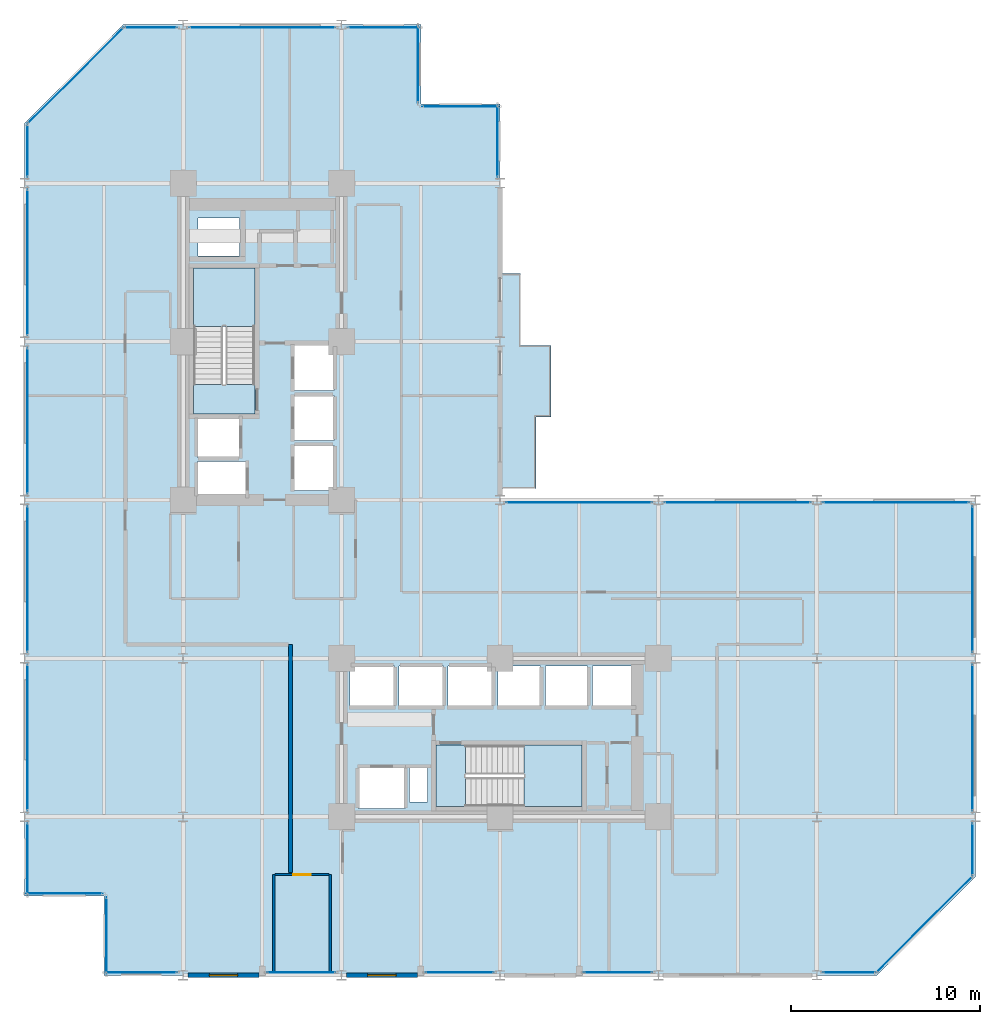
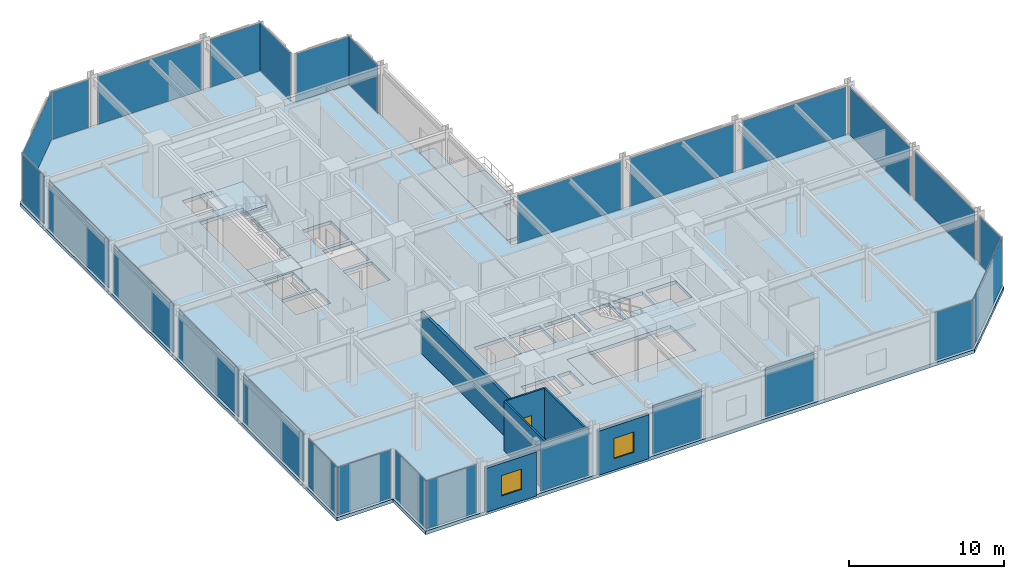
# One storey, part 18 of 24: 27 plates, 6 slabs, 6 walls, 2 windows, 1 door, 3 openings, 29 elements without a shape of their own.
"""IFC4 building model written with IfcOpenShell, lengths in metres."""

from ifc_helpers import new_model, si_unit, direction, frame, frame_2d, origin, origin_2d, place, context, subcontext, project, spatial, polyline, rectangle, outline, extrude, material, layer, layer_set, type_object, element, fill, aggregate, save


model = new_model("IFC4")

# Units and contexts
model_context = context("Model", 3, precision=1e-05, world=origin(), true_north=direction((0.0, 1.0)))
body_context = subcontext(model_context, "Body", "Model", "MODEL_VIEW")
ifc_project = project(units=[si_unit("LENGTHUNIT", "METRE"), si_unit("AREAUNIT", "SQUARE_METRE"), si_unit("VOLUMEUNIT", "CUBIC_METRE"), si_unit("PLANEANGLEUNIT", "RADIAN"), si_unit("MASSUNIT", "GRAM", prefix="KILO")], contexts=[model_context])

# Site, building, storey
site_placement = place(None, origin())
site = spatial("IfcSite", under=ifc_project, at=site_placement, CompositionType="ELEMENT")
building_placement = place(site_placement, origin())
building = spatial("IfcBuilding", under=site, at=building_placement, Name="Nerrivon Quay Data Exchange", CompositionType="ELEMENT")
storey_placement = place(building_placement, frame((0.0, 0.0, 50.0)))
storey = spatial("IfcBuildingStorey", under=building, at=storey_placement, Name="L11", CompositionType="ELEMENT", Elevation=50.0)

# Curtain wall, plate
ifc_material_1 = material(Name="Anodised aluminium 6063-T6", Category="aluminium")
ifc_layer_1 = layer(ifc_material_1, 0.219970703125)
ifc_layer_set_1 = layer_set([ifc_layer_1], Name="Anodised aluminium 6063-T6")
curtain_wall_type = type_object("IfcCurtainWallType", Name="CW-SYS-01", PredefinedType="NOTDEFINED", material=ifc_layer_set_1)
curtain_wall_1_placement = place(storey_placement, origin())
curtain_wall_1 = element("IfcCurtainWall", 1, at=curtain_wall_1_placement, inside=storey, type_object=curtain_wall_type, Name="L11 Unitised Curtain Wall 1", PredefinedType="NOTDEFINED")
ifc_material_2 = material(Name="Double-glazed low-E solar control glass", Category="glass")
ifc_layer_2 = layer(ifc_material_2, 0.028076171875)
ifc_layer_set_2 = layer_set([ifc_layer_2], Name="Double-glazed low-E solar control glass")
plate_type = type_object("IfcPlateType", Name="CWP-GLZ-28", PredefinedType="CURTAIN_PANEL", material=ifc_layer_set_2)
plate_1_placement = place(storey_placement, frame((47.700927734375, 2.698974609375, 0.06494140625), z_axis=(0.0, 0.0, 1.0), x_axis=(-0.707106781187, -0.707106781187, 0.0)))
plate_1 = element("IfcPlate", 2, at=plate_1_placement, type_object=plate_type, Name="CW01 panel 1.1", PredefinedType="CURTAIN_PANEL", context=body_context, shape_type="SweptSolid", body=[
    extrude(rectangle(XDim=7.203857421875, YDim=0.028076171875, at=origin_2d()), origin(), (0.0, 0.0, 1.0), 3.794921875),
])
aggregate(curtain_wall_1, [plate_1])

curtain_wall_2_placement = place(storey_placement, origin())
curtain_wall_2 = element("IfcCurtainWall", 3, at=curtain_wall_2_placement, inside=storey, type_object=curtain_wall_type, Name="L11 Unitised Curtain Wall 2", PredefinedType="NOTDEFINED")
plate_2_placement = place(storey_placement, frame((43.72509765625, 0.139892578125, 0.06494140625), z_axis=(0.0, 0.0, 1.0), x_axis=(-1.0, 0.0, 0.0)))
plate_2 = element("IfcPlate", 4, at=plate_2_placement, type_object=plate_type, Name="CW01 panel 1.1", PredefinedType="CURTAIN_PANEL", context=body_context, shape_type="SweptSolid", body=[
    extrude(rectangle(XDim=2.800048828125, YDim=0.028076171875, at=origin_2d()), origin(), (0.0, 0.0, 1.0), 3.794921875),
])
aggregate(curtain_wall_2, [plate_2])

curtain_wall_3_placement = place(storey_placement, origin())
curtain_wall_3 = element("IfcCurtainWall", 5, at=curtain_wall_3_placement, inside=storey, type_object=curtain_wall_type, Name="L11 Unitised Curtain Wall 4", PredefinedType="NOTDEFINED")
plate_3_placement = place(storey_placement, frame((31.46240234375, 0.139892578125, 0.06494140625), z_axis=(0.0, 0.0, 1.0), x_axis=(-1.0, 0.0, 0.0)))
plate_3 = element("IfcPlate", 6, at=plate_3_placement, type_object=plate_type, Name="CW01 panel 1.1", PredefinedType="CURTAIN_PANEL", context=body_context, shape_type="SweptSolid", body=[
    extrude(rectangle(XDim=3.625, YDim=0.028076171875, at=origin_2d()), origin(), (0.0, 0.0, 1.0), 3.794921875),
])
aggregate(curtain_wall_3, [plate_3])

curtain_wall_4_placement = place(storey_placement, origin())
curtain_wall_4 = element("IfcCurtainWall", 7, at=curtain_wall_4_placement, inside=storey, type_object=curtain_wall_type, Name="L11 Unitised Curtain Wall 6", PredefinedType="NOTDEFINED")
plate_4_placement = place(storey_placement, frame((23.0625, 0.139892578125, 0.06494140625), z_axis=(0.0, 0.0, 1.0), x_axis=(-1.0, 0.0, 0.0)))
plate_4 = element("IfcPlate", 8, at=plate_4_placement, type_object=plate_type, Name="CW01 panel 1.1", PredefinedType="CURTAIN_PANEL", context=body_context, shape_type="SweptSolid", body=[
    extrude(rectangle(XDim=3.625, YDim=0.028076171875, at=origin_2d()), origin(), (0.0, 0.0, 1.0), 3.794921875),
])
aggregate(curtain_wall_4, [plate_4])

curtain_wall_5_placement = place(storey_placement, origin())
curtain_wall_5 = element("IfcCurtainWall", 9, at=curtain_wall_5_placement, inside=storey, type_object=curtain_wall_type, Name="L11 Unitised Curtain Wall 8", PredefinedType="NOTDEFINED")
plate_5_placement = place(storey_placement, frame((14.66259765625, 0.139892578125, 0.06494140625), z_axis=(0.0, 0.0, 1.0), x_axis=(-1.0, 0.0, 0.0)))
plate_5 = element("IfcPlate", 10, at=plate_5_placement, type_object=plate_type, Name="CW01 panel 1.1", PredefinedType="CURTAIN_PANEL", context=body_context, shape_type="SweptSolid", body=[
    extrude(rectangle(XDim=3.625, YDim=0.028076171875, at=origin_2d()), origin(), (0.0, 0.0, 1.0), 3.794921875),
])
aggregate(curtain_wall_5, [plate_5])

curtain_wall_6_placement = place(storey_placement, origin())
curtain_wall_6 = element("IfcCurtainWall", 11, at=curtain_wall_6_placement, inside=storey, type_object=curtain_wall_type, Name="L11 Unitised Curtain Wall 10", PredefinedType="NOTDEFINED")
plate_6_placement = place(storey_placement, frame((6.175048828125, 0.139892578125, 0.06494140625), z_axis=(0.0, 0.0, 1.0), x_axis=(-1.0, 0.0, 0.0)))
plate_6 = element("IfcPlate", 12, at=plate_6_placement, type_object=plate_type, Name="CW01 panel 1.1", PredefinedType="CURTAIN_PANEL", context=body_context, shape_type="SweptSolid", body=[
    extrude(rectangle(XDim=3.800048828125, YDim=0.028076171875, at=origin_2d()), origin(), (0.0, 0.0, 1.0), 3.794921875),
])
aggregate(curtain_wall_6, [plate_6])

curtain_wall_7_placement = place(storey_placement, origin())
curtain_wall_7 = element("IfcCurtainWall", 13, at=curtain_wall_7_placement, inside=storey, type_object=curtain_wall_type, Name="L11 Unitised Curtain Wall 11", PredefinedType="NOTDEFINED")
plate_7_placement = place(storey_placement, frame((4.340087890625, 2.10009765625, 0.06494140625), z_axis=(0.0, 0.0, 1.0), x_axis=(0.0, 1.0, 0.0)))
plate_7 = element("IfcPlate", 14, at=plate_7_placement, type_object=plate_type, Name="CW01 panel 1.1", PredefinedType="CURTAIN_PANEL", context=body_context, shape_type="SweptSolid", body=[
    extrude(rectangle(XDim=4.050048828125, YDim=0.028076171875, at=origin_2d()), origin(), (0.0, 0.0, 1.0), 3.794921875),
])
aggregate(curtain_wall_7, [plate_7])

curtain_wall_8_placement = place(storey_placement, origin())
curtain_wall_8 = element("IfcCurtainWall", 15, at=curtain_wall_8_placement, inside=storey, type_object=curtain_wall_type, Name="L11 Unitised Curtain Wall 12", PredefinedType="NOTDEFINED")
plate_8_placement = place(storey_placement, frame((2.10009765625, 4.340087890625, 0.06494140625), z_axis=(0.0, 0.0, 1.0), x_axis=(-1.0, 0.0, 0.0)))
plate_8 = element("IfcPlate", 16, at=plate_8_placement, type_object=plate_type, Name="CW01 panel 1.1", PredefinedType="CURTAIN_PANEL", context=body_context, shape_type="SweptSolid", body=[
    extrude(rectangle(XDim=4.050048828125, YDim=0.028076171875, at=origin_2d()), origin(), (0.0, 0.0, 1.0), 3.794921875),
])
aggregate(curtain_wall_8, [plate_8])

curtain_wall_9_placement = place(storey_placement, origin())
curtain_wall_9 = element("IfcCurtainWall", 17, at=curtain_wall_9_placement, inside=storey, type_object=curtain_wall_type, Name="L11 Unitised Curtain Wall 13", PredefinedType="NOTDEFINED")
plate_9_placement = place(storey_placement, frame((0.139892578125, 6.175048828125, 0.06494140625), z_axis=(0.0, 0.0, 1.0), x_axis=(0.0, 1.0, 0.0)))
plate_9 = element("IfcPlate", 18, at=plate_9_placement, type_object=plate_type, Name="CW01 panel 1.1", PredefinedType="CURTAIN_PANEL", context=body_context, shape_type="SweptSolid", body=[
    extrude(rectangle(XDim=3.800048828125, YDim=0.028076171875, at=origin_2d()), origin(), (0.0, 0.0, 1.0), 3.794921875),
])
aggregate(curtain_wall_9, [plate_9])

curtain_wall_10_placement = place(storey_placement, origin())
curtain_wall_10 = element("IfcCurtainWall", 19, at=curtain_wall_10_placement, inside=storey, type_object=curtain_wall_type, Name="L11 Unitised Curtain Wall 14", PredefinedType="NOTDEFINED")
plate_10_placement = place(storey_placement, frame((0.139892578125, 12.60009765625, 0.06494140625), z_axis=(0.0, 0.0, 1.0), x_axis=(0.0, 1.0, 0.0)))
plate_10 = element("IfcPlate", 20, at=plate_10_placement, type_object=plate_type, Name="CW01 panel 1.1", PredefinedType="CURTAIN_PANEL", context=body_context, shape_type="SweptSolid", body=[
    extrude(rectangle(XDim=7.75, YDim=0.028076171875, at=origin_2d()), origin(), (0.0, 0.0, 1.0), 3.794921875),
])
aggregate(curtain_wall_10, [plate_10])

curtain_wall_11_placement = place(storey_placement, origin())
curtain_wall_11 = element("IfcCurtainWall", 21, at=curtain_wall_11_placement, inside=storey, type_object=curtain_wall_type, Name="L11 Unitised Curtain Wall 15", PredefinedType="NOTDEFINED")
plate_11_placement = place(storey_placement, frame((0.139892578125, 21.0, 0.06494140625), z_axis=(0.0, 0.0, 1.0), x_axis=(0.0, 1.0, 0.0)))
plate_11 = element("IfcPlate", 22, at=plate_11_placement, type_object=plate_type, Name="CW01 panel 1.1", PredefinedType="CURTAIN_PANEL", context=body_context, shape_type="SweptSolid", body=[
    extrude(rectangle(XDim=7.75, YDim=0.028076171875, at=origin_2d()), origin(), (0.0, 0.0, 1.0), 3.794921875),
])
aggregate(curtain_wall_11, [plate_11])

curtain_wall_12_placement = place(storey_placement, origin())
curtain_wall_12 = element("IfcCurtainWall", 23, at=curtain_wall_12_placement, inside=storey, type_object=curtain_wall_type, Name="L11 Unitised Curtain Wall 16", PredefinedType="NOTDEFINED")
plate_12_placement = place(storey_placement, frame((0.139892578125, 29.39990234375, 0.06494140625), z_axis=(0.0, 0.0, 1.0), x_axis=(0.0, 1.0, 0.0)))
plate_12 = element("IfcPlate", 24, at=plate_12_placement, type_object=plate_type, Name="CW01 panel 1.1", PredefinedType="CURTAIN_PANEL", context=body_context, shape_type="SweptSolid", body=[
    extrude(rectangle(XDim=7.75, YDim=0.028076171875, at=origin_2d()), origin(), (0.0, 0.0, 1.0), 3.794921875),
])
aggregate(curtain_wall_12, [plate_12])

curtain_wall_13_placement = place(storey_placement, origin())
curtain_wall_13 = element("IfcCurtainWall", 25, at=curtain_wall_13_placement, inside=storey, type_object=curtain_wall_type, Name="L11 Unitised Curtain Wall 17", PredefinedType="NOTDEFINED")
plate_13_placement = place(storey_placement, frame((0.139892578125, 37.800048828125, 0.06494140625), z_axis=(0.0, 0.0, 1.0), x_axis=(0.0, 1.0, 0.0)))
plate_13 = element("IfcPlate", 26, at=plate_13_placement, type_object=plate_type, Name="CW01 panel 1.1", PredefinedType="CURTAIN_PANEL", context=body_context, shape_type="SweptSolid", body=[
    extrude(rectangle(XDim=7.75, YDim=0.028076171875, at=origin_2d()), origin(), (0.0, 0.0, 1.0), 3.794921875),
])
aggregate(curtain_wall_13, [plate_13])

curtain_wall_14_placement = place(storey_placement, origin())
curtain_wall_14 = element("IfcCurtainWall", 27, at=curtain_wall_14_placement, inside=storey, type_object=curtain_wall_type, Name="L11 Unitised Curtain Wall 18", PredefinedType="NOTDEFINED")
plate_14_placement = place(storey_placement, frame((0.139892578125, 43.72509765625, 0.06494140625), z_axis=(0.0, 0.0, 1.0), x_axis=(0.0, 1.0, 0.0)))
plate_14 = element("IfcPlate", 28, at=plate_14_placement, type_object=plate_type, Name="CW01 panel 1.1", PredefinedType="CURTAIN_PANEL", context=body_context, shape_type="SweptSolid", body=[
    extrude(rectangle(XDim=2.800048828125, YDim=0.028076171875, at=origin_2d()), origin(), (0.0, 0.0, 1.0), 3.794921875),
])
aggregate(curtain_wall_14, [plate_14])

curtain_wall_15_placement = place(storey_placement, origin())
curtain_wall_15 = element("IfcCurtainWall", 29, at=curtain_wall_15_placement, inside=storey, type_object=curtain_wall_type, Name="L11 Unitised Curtain Wall 19", PredefinedType="NOTDEFINED")
plate_15_placement = place(storey_placement, frame((2.698974609375, 47.700927734375, 0.06494140625), z_axis=(0.0, 0.0, 1.0), x_axis=(0.707106781187, 0.707106781187, 0.0)))
plate_15 = element("IfcPlate", 30, at=plate_15_placement, type_object=plate_type, Name="CW01 panel 1.1", PredefinedType="CURTAIN_PANEL", context=body_context, shape_type="SweptSolid", body=[
    extrude(rectangle(XDim=7.203857421875, YDim=0.028076171875, at=origin_2d()), origin(), (0.0, 0.0, 1.0), 3.794921875),
])
aggregate(curtain_wall_15, [plate_15])

curtain_wall_16_placement = place(storey_placement, origin())
curtain_wall_16 = element("IfcCurtainWall", 31, at=curtain_wall_16_placement, inside=storey, type_object=curtain_wall_type, Name="L11 Unitised Curtain Wall 20", PredefinedType="NOTDEFINED")
plate_16_placement = place(storey_placement, frame((6.675048828125, 50.260009765625, 0.06494140625), z_axis=(0.0, 0.0, 1.0), x_axis=(1.0, 0.0, 0.0)))
plate_16 = element("IfcPlate", 32, at=plate_16_placement, type_object=plate_type, Name="CW01 panel 1.1", PredefinedType="CURTAIN_PANEL", context=body_context, shape_type="SweptSolid", body=[
    extrude(rectangle(XDim=2.800048828125, YDim=0.028076171875, at=origin_2d()), origin(), (0.0, 0.0, 1.0), 3.794921875),
])
aggregate(curtain_wall_16, [plate_16])

curtain_wall_17_placement = place(storey_placement, origin())
curtain_wall_17 = element("IfcCurtainWall", 33, at=curtain_wall_17_placement, inside=storey, type_object=curtain_wall_type, Name="L11 Unitised Curtain Wall 21", PredefinedType="NOTDEFINED")
plate_17_placement = place(storey_placement, frame((12.60009765625, 50.260009765625, 0.06494140625), z_axis=(0.0, 0.0, 1.0), x_axis=(1.0, 0.0, 0.0)))
plate_17 = element("IfcPlate", 34, at=plate_17_placement, type_object=plate_type, Name="CW01 panel 1.1", PredefinedType="CURTAIN_PANEL", context=body_context, shape_type="SweptSolid", body=[
    extrude(rectangle(XDim=7.75, YDim=0.028076171875, at=origin_2d()), origin(), (0.0, 0.0, 1.0), 3.794921875),
])
aggregate(curtain_wall_17, [plate_17])

curtain_wall_18_placement = place(storey_placement, origin())
curtain_wall_18 = element("IfcCurtainWall", 35, at=curtain_wall_18_placement, inside=storey, type_object=curtain_wall_type, Name="L11 Unitised Curtain Wall 22", PredefinedType="NOTDEFINED")
plate_18_placement = place(storey_placement, frame((19.02490234375, 50.260009765625, 0.06494140625), z_axis=(0.0, 0.0, 1.0), x_axis=(1.0, 0.0, 0.0)))
plate_18 = element("IfcPlate", 36, at=plate_18_placement, type_object=plate_type, Name="CW01 panel 1.1", PredefinedType="CURTAIN_PANEL", context=body_context, shape_type="SweptSolid", body=[
    extrude(rectangle(XDim=3.800048828125, YDim=0.028076171875, at=origin_2d()), origin(), (0.0, 0.0, 1.0), 3.794921875),
])
aggregate(curtain_wall_18, [plate_18])

curtain_wall_19_placement = place(storey_placement, origin())
curtain_wall_19 = element("IfcCurtainWall", 37, at=curtain_wall_19_placement, inside=storey, type_object=curtain_wall_type, Name="L11 Unitised Curtain Wall 23", PredefinedType="NOTDEFINED")
plate_19_placement = place(storey_placement, frame((20.860107421875, 48.300048828125, 0.06494140625), z_axis=(0.0, 0.0, 1.0), x_axis=(0.0, -1.0, 0.0)))
plate_19 = element("IfcPlate", 38, at=plate_19_placement, type_object=plate_type, Name="CW01 panel 1.1", PredefinedType="CURTAIN_PANEL", context=body_context, shape_type="SweptSolid", body=[
    extrude(rectangle(XDim=4.050048828125, YDim=0.028076171875, at=origin_2d()), origin(), (0.0, 0.0, 1.0), 3.794921875),
])
aggregate(curtain_wall_19, [plate_19])

curtain_wall_20_placement = place(storey_placement, origin())
curtain_wall_20 = element("IfcCurtainWall", 39, at=curtain_wall_20_placement, inside=storey, type_object=curtain_wall_type, Name="L11 Unitised Curtain Wall 24", PredefinedType="NOTDEFINED")
plate_20_placement = place(storey_placement, frame((23.10009765625, 46.06005859375, 0.06494140625), z_axis=(0.0, 0.0, 1.0), x_axis=(1.0, 0.0, 0.0)))
plate_20 = element("IfcPlate", 40, at=plate_20_placement, type_object=plate_type, Name="CW01 panel 1.1", PredefinedType="CURTAIN_PANEL", context=body_context, shape_type="SweptSolid", body=[
    extrude(rectangle(XDim=4.050048828125, YDim=0.028076171875, at=origin_2d()), origin(), (0.0, 0.0, 1.0), 3.794921875),
])
aggregate(curtain_wall_20, [plate_20])

curtain_wall_21_placement = place(storey_placement, origin())
curtain_wall_21 = element("IfcCurtainWall", 41, at=curtain_wall_21_placement, inside=storey, type_object=curtain_wall_type, Name="L11 Unitised Curtain Wall 25", PredefinedType="NOTDEFINED")
plate_21_placement = place(storey_placement, frame((25.06005859375, 44.22509765625, 0.06494140625), z_axis=(0.0, 0.0, 1.0), x_axis=(0.0, -1.0, 0.0)))
plate_21 = element("IfcPlate", 42, at=plate_21_placement, type_object=plate_type, Name="CW01 panel 1.1", PredefinedType="CURTAIN_PANEL", context=body_context, shape_type="SweptSolid", body=[
    extrude(rectangle(XDim=3.800048828125, YDim=0.028076171875, at=origin_2d()), origin(), (0.0, 0.0, 1.0), 3.794921875),
])
aggregate(curtain_wall_21, [plate_21])

curtain_wall_22_placement = place(storey_placement, origin())
curtain_wall_22 = element("IfcCurtainWall", 43, at=curtain_wall_22_placement, inside=storey, type_object=curtain_wall_type, Name="L11 Unitised Curtain Wall 28", PredefinedType="NOTDEFINED")
plate_22_placement = place(storey_placement, frame((29.39990234375, 25.06005859375, 0.06494140625), z_axis=(0.0, 0.0, 1.0), x_axis=(1.0, 0.0, 0.0)))
plate_22 = element("IfcPlate", 44, at=plate_22_placement, type_object=plate_type, Name="CW01 panel 1.1", PredefinedType="CURTAIN_PANEL", context=body_context, shape_type="SweptSolid", body=[
    extrude(rectangle(XDim=7.75, YDim=0.028076171875, at=origin_2d()), origin(), (0.0, 0.0, 1.0), 3.794921875),
])
aggregate(curtain_wall_22, [plate_22])

curtain_wall_23_placement = place(storey_placement, origin())
curtain_wall_23 = element("IfcCurtainWall", 45, at=curtain_wall_23_placement, inside=storey, type_object=curtain_wall_type, Name="L11 Unitised Curtain Wall 29", PredefinedType="NOTDEFINED")
plate_23_placement = place(storey_placement, frame((37.800048828125, 25.06005859375, 0.06494140625), z_axis=(0.0, 0.0, 1.0), x_axis=(1.0, 0.0, 0.0)))
plate_23 = element("IfcPlate", 46, at=plate_23_placement, type_object=plate_type, Name="CW01 panel 1.1", PredefinedType="CURTAIN_PANEL", context=body_context, shape_type="SweptSolid", body=[
    extrude(rectangle(XDim=7.75, YDim=0.028076171875, at=origin_2d()), origin(), (0.0, 0.0, 1.0), 3.794921875),
])
aggregate(curtain_wall_23, [plate_23])

curtain_wall_24_placement = place(storey_placement, origin())
curtain_wall_24 = element("IfcCurtainWall", 47, at=curtain_wall_24_placement, inside=storey, type_object=curtain_wall_type, Name="L11 Unitised Curtain Wall 30", PredefinedType="NOTDEFINED")
plate_24_placement = place(storey_placement, frame((46.199951171875, 25.06005859375, 0.06494140625), z_axis=(0.0, 0.0, 1.0), x_axis=(1.0, 0.0, 0.0)))
plate_24 = element("IfcPlate", 48, at=plate_24_placement, type_object=plate_type, Name="CW01 panel 1.1", PredefinedType="CURTAIN_PANEL", context=body_context, shape_type="SweptSolid", body=[
    extrude(rectangle(XDim=7.75, YDim=0.028076171875, at=origin_2d()), origin(), (0.0, 0.0, 1.0), 3.794921875),
])
aggregate(curtain_wall_24, [plate_24])

curtain_wall_25_placement = place(storey_placement, origin())
curtain_wall_25 = element("IfcCurtainWall", 49, at=curtain_wall_25_placement, inside=storey, type_object=curtain_wall_type, Name="L11 Unitised Curtain Wall 31", PredefinedType="NOTDEFINED")
plate_25_placement = place(storey_placement, frame((50.260009765625, 21.0, 0.06494140625), z_axis=(0.0, 0.0, 1.0), x_axis=(0.0, -1.0, 0.0)))
plate_25 = element("IfcPlate", 50, at=plate_25_placement, type_object=plate_type, Name="CW01 panel 1.1", PredefinedType="CURTAIN_PANEL", context=body_context, shape_type="SweptSolid", body=[
    extrude(rectangle(XDim=7.75, YDim=0.028076171875, at=origin_2d()), origin(), (0.0, 0.0, 1.0), 3.794921875),
])
aggregate(curtain_wall_25, [plate_25])

curtain_wall_26_placement = place(storey_placement, origin())
curtain_wall_26 = element("IfcCurtainWall", 51, at=curtain_wall_26_placement, inside=storey, type_object=curtain_wall_type, Name="L11 Unitised Curtain Wall 32", PredefinedType="NOTDEFINED")
plate_26_placement = place(storey_placement, frame((50.260009765625, 12.60009765625, 0.06494140625), z_axis=(0.0, 0.0, 1.0), x_axis=(0.0, -1.0, 0.0)))
plate_26 = element("IfcPlate", 52, at=plate_26_placement, type_object=plate_type, Name="CW01 panel 1.1", PredefinedType="CURTAIN_PANEL", context=body_context, shape_type="SweptSolid", body=[
    extrude(rectangle(XDim=7.75, YDim=0.028076171875, at=origin_2d()), origin(), (0.0, 0.0, 1.0), 3.794921875),
])
aggregate(curtain_wall_26, [plate_26])

curtain_wall_27_placement = place(storey_placement, origin())
curtain_wall_27 = element("IfcCurtainWall", 53, at=curtain_wall_27_placement, inside=storey, type_object=curtain_wall_type, Name="L11 Unitised Curtain Wall 33", PredefinedType="NOTDEFINED")
plate_27_placement = place(storey_placement, frame((50.260009765625, 6.675048828125, 0.06494140625), z_axis=(0.0, 0.0, 1.0), x_axis=(0.0, -1.0, 0.0)))
plate_27 = element("IfcPlate", 54, at=plate_27_placement, type_object=plate_type, Name="CW01 panel 1.1", PredefinedType="CURTAIN_PANEL", context=body_context, shape_type="SweptSolid", body=[
    extrude(rectangle(XDim=2.800048828125, YDim=0.028076171875, at=origin_2d()), origin(), (0.0, 0.0, 1.0), 3.794921875),
])
aggregate(curtain_wall_27, [plate_27])

# Slab
ifc_material_3 = material(Name="Precast white architectural concrete N50 (50 MPa)", Category="concrete")
ifc_layer_3 = layer(ifc_material_3, 0.25)
ifc_layer_set_3 = layer_set([ifc_layer_3], Name="Precast white architectural concrete N50 (50 MPa)")
slab_type_1 = type_object("IfcSlabType", Name="SLB-BAL-250", PredefinedType="FLOOR", material=ifc_layer_set_3)
slab_1_placement = place(storey_placement, frame((0.0, 0.0, -0.25)))
element("IfcSlab", 55, at=slab_1_placement, inside=storey, type_object=slab_type_1, Name="L11 Waterfront Subtropical Verandah", PredefinedType="FLOOR", context=body_context, shape_type="SweptSolid", body=[
    extrude(outline(polyline([(27.10009765625, 29.60009765625), (27.89990234375, 29.60009765625), (27.89990234375, 33.39990234375), (26.300048828125, 33.39990234375), (26.300048828125, 37.199951171875), (25.199951171875, 37.199951171875), (25.199951171875, 33.39990234375), (25.199951171875, 29.60009765625), (25.199951171875, 25.800048828125), (27.10009765625, 25.800048828125), (27.10009765625, 29.60009765625)])), origin(), (0.0, 0.0, 1.0), 0.25),
])

# Stair, slab
ifc_material_4 = material(Name="Concrete N50 (50 MPa)", Category="concrete")
stair_type = type_object("IfcStairType", Name="STAIR-DOG-42", PredefinedType="HALF_TURN_STAIR", material=ifc_material_4)
stair_1_placement = place(storey_placement, origin())
stair_1 = element("IfcStair", 56, at=stair_1_placement, inside=storey, type_object=stair_type, Name="L11 West Core Fire Stair ST01", PredefinedType="HALF_TURN_STAIR")
ifc_layer_4 = layer(ifc_material_4, 0.199951171875)
ifc_layer_set_4 = layer_set([ifc_layer_4], Name="Concrete N50 (50 MPa)")
slab_type_2 = type_object("IfcSlabType", Name="SLB-LAND-200", PredefinedType="LANDING", material=ifc_layer_set_4)
slab_2_placement = place(storey_placement, frame((0.0, 0.0, 1.89990234375)))
slab_2 = element("IfcSlab", 57, at=slab_2_placement, type_object=slab_type_2, Name="ST01 landing 1", PredefinedType="LANDING", context=body_context, shape_type="SweptSolid", body=[
    extrude(outline(polyline([(12.199951171875, 34.409912109375), (12.199951171875, 37.5), (8.949951171875, 37.5), (8.949951171875, 34.409912109375), (12.199951171875, 34.409912109375)])), origin(), (0.0, 0.0, 1.0), 0.2001953125),
])
aggregate(stair_1, [slab_2])

# Slab
slab_3_placement = place(storey_placement, frame((0.0, 0.0, -0.199951171875)))
element("IfcSlab", 58, at=slab_3_placement, inside=storey, type_object=slab_type_2, Name="L11 ST01 floor landing", PredefinedType="LANDING", context=body_context, shape_type="SweptSolid", body=[
    extrude(outline(polyline([(12.199951171875, 29.75), (12.199951171875, 31.330078125), (8.949951171875, 31.330078125), (8.949951171875, 29.75), (12.199951171875, 29.75)])), origin(), (0.0, 0.0, 1.0), 0.199951171875),
])

# Stair, slab
stair_2_placement = place(storey_placement, origin())
stair_2 = element("IfcStair", 59, at=stair_2_placement, inside=storey, type_object=stair_type, Name="L11 East Core Fire Stair ST02", PredefinedType="HALF_TURN_STAIR")
slab_4_placement = place(storey_placement, frame((0.0, 0.0, 1.89990234375)))
slab_4 = element("IfcSlab", 60, at=slab_4_placement, type_object=slab_type_2, Name="ST02 landing 1", PredefinedType="LANDING", context=body_context, shape_type="SweptSolid", body=[
    extrude(outline(polyline([(26.4599609375, 8.949951171875), (29.550048828125, 8.949951171875), (29.550048828125, 12.199951171875), (26.4599609375, 12.199951171875), (26.4599609375, 8.949951171875)])), origin(), (0.0, 0.0, 1.0), 0.2001953125),
])
aggregate(stair_2, [slab_4])

# Slabs
slab_5_placement = place(storey_placement, frame((0.0, 0.0, -0.199951171875)))
element("IfcSlab", 61, at=slab_5_placement, inside=storey, type_object=slab_type_2, Name="L11 ST02 floor landing", PredefinedType="LANDING", context=body_context, shape_type="SweptSolid", body=[
    extrude(outline(polyline([(21.800048828125, 8.949951171875), (23.3798828125, 8.949951171875), (23.3798828125, 12.199951171875), (21.800048828125, 12.199951171875), (21.800048828125, 8.949951171875)])), origin(), (0.0, 0.0, 1.0), 0.199951171875),
])
ifc_layer_5 = layer(ifc_material_4, 0.27490234375)
ifc_layer_set_5 = layer_set([ifc_layer_5], Name="Concrete N50 (50 MPa)")
slab_type_3 = type_object("IfcSlabType", Name="SLB-TOW-275", PredefinedType="FLOOR", material=ifc_layer_set_5)
slab_6_placement = place(storey_placement, frame((0.0, 0.0, -0.27490234375)))
element("IfcSlab", 62, at=slab_6_placement, inside=storey, type_object=slab_type_3, Name="L11 Primary Structural Slab", PredefinedType="FLOOR", context=body_context, shape_type="SweptSolid", body=[
    extrude(outline(polyline([(50.39990234375, 25.199951171875), (25.199951171875, 25.199951171875), (25.199951171875, 46.199951171875), (21.0, 46.199951171875), (21.0, 50.39990234375), (5.199951171875, 50.39990234375), (0.0, 45.199951171875), (0.0, 4.199951171875), (4.199951171875, 4.199951171875), (4.199951171875, 0.0), (45.199951171875, 0.0), (50.39990234375, 5.199951171875), (50.39990234375, 25.199951171875)]), holes=[polyline([(8.949951171875, 29.75), (8.949951171875, 37.5), (12.199951171875, 37.5), (12.199951171875, 29.75), (8.949951171875, 29.75)]), polyline([(21.800048828125, 12.199951171875), (29.550048828125, 12.199951171875), (29.550048828125, 8.949951171875), (21.800048828125, 8.949951171875), (21.800048828125, 12.199951171875)]), polyline([(30.10009765625, 16.39990234375), (32.35009765625, 16.39990234375), (32.35009765625, 14.25), (30.10009765625, 14.25), (30.10009765625, 16.39990234375)]), polyline([(27.60009765625, 16.39990234375), (29.85009765625, 16.39990234375), (29.85009765625, 14.25), (27.60009765625, 14.25), (27.60009765625, 16.39990234375)]), polyline([(25.10009765625, 16.39990234375), (27.35009765625, 16.39990234375), (27.35009765625, 14.25), (25.10009765625, 14.25), (25.10009765625, 16.39990234375)]), polyline([(22.449951171875, 16.39990234375), (24.800048828125, 16.39990234375), (24.800048828125, 14.25), (22.449951171875, 14.25), (22.449951171875, 16.39990234375)]), polyline([(19.85009765625, 16.39990234375), (22.199951171875, 16.39990234375), (22.199951171875, 14.25), (19.85009765625, 14.25), (19.85009765625, 16.39990234375)]), polyline([(20.39990234375, 11.0), (21.35009765625, 11.0), (21.35009765625, 9.199951171875), (20.39990234375, 9.199951171875), (20.39990234375, 11.0)]), polyline([(17.699951171875, 8.830078125), (17.699951171875, 11.030029296875), (20.14990234375, 11.030029296875), (20.14990234375, 8.830078125), (17.699951171875, 8.830078125)]), polyline([(17.25, 14.25), (17.25, 16.39990234375), (19.60009765625, 16.39990234375), (19.60009765625, 14.25), (17.25, 14.25)]), polyline([(14.25, 28.10009765625), (16.39990234375, 28.10009765625), (16.39990234375, 25.699951171875), (14.25, 25.699951171875), (14.25, 28.10009765625)]), polyline([(14.25, 30.75), (16.39990234375, 30.75), (16.39990234375, 28.35009765625), (14.25, 28.35009765625), (14.25, 30.75)]), polyline([(14.25, 33.39990234375), (16.39990234375, 33.39990234375), (16.39990234375, 31.0), (14.25, 31.0), (14.25, 33.39990234375)]), polyline([(9.14990234375, 27.25), (11.75, 27.25), (11.75, 25.35009765625), (9.14990234375, 25.35009765625), (9.14990234375, 27.25)]), polyline([(9.14990234375, 29.60009765625), (11.39990234375, 29.60009765625), (11.39990234375, 27.449951171875), (9.14990234375, 27.449951171875), (9.14990234375, 29.60009765625)]), polyline([(9.199951171875, 40.14990234375), (11.39990234375, 40.14990234375), (11.39990234375, 38.14990234375), (9.199951171875, 38.14990234375), (9.199951171875, 40.14990234375)])]), origin(), (0.0, 0.0, 1.0), 0.27490234375),
])

# Wall, opening, window
ifc_material_5 = material(Name="Architectural terracotta precast concrete N50 (50 MPa)", Category="masonry")
ifc_layer_6 = layer(ifc_material_5, 0.239990234375)
ifc_layer_set_6 = layer_set([ifc_layer_6], Name="Architectural terracotta precast concrete N50 (50 MPa)")
wall_type_1 = type_object("IfcWallType", Name="EW-PREC-240", PredefinedType="STANDARD", material=ifc_layer_set_6)
wall_1_placement = place(storey_placement, frame((20.824951171875, 0.0, 0.0), z_axis=(0.0, 0.0, 1.0), x_axis=(-1.0, 0.0, 0.0)))
wall_1 = element("IfcWall", 63, at=wall_1_placement, inside=storey, type_object=wall_type_1, Name="L11 Podium Precast Spandrel Wall 7", PredefinedType="STANDARD", context=body_context, shape_type="SweptSolid", body=[
    extrude(rectangle(XDim=3.77490234375, YDim=0.239990234375, at=frame_2d((1.887451171875, 0.0))), origin(), (0.0, 0.0, 1.0), 3.470947265625),
])
opening_1_placement = place(wall_1_placement, frame((1.137451171875, 0.0, 0.89990234375)))
opening_1 = element("IfcOpeningElement", 64, at=opening_1_placement, cuts=wall_1, Name="Opening WN4", PredefinedType="OPENING", context=body_context, shape_type="SweptSolid", body=[
    extrude(rectangle(XDim=1.5, YDim=1.60009765625, at=frame_2d((0.75, 0.800048828125))), frame((0.0, 0.1298828125, 0.0), z_axis=(0.0, -1.0, 0.0), x_axis=(1.0, 0.0, 0.0)), (0.0, 0.0, 1.0), 0.260009765625),
])
window_type = type_object("IfcWindowType", Name="WIN-W4-1500x1600", PartitioningType="SINGLE_PANEL", PredefinedType="WINDOW", material=ifc_material_2)
window_1_placement = place(opening_1_placement, origin())
window_1 = element("IfcWindow", 65, at=window_1_placement, inside=storey, type_object=window_type, Name="L11 Solar Facade Window 7", OverallHeight=1.60009765625, OverallWidth=1.5, PartitioningType="SINGLE_PANEL", PredefinedType="WINDOW", context=body_context, shape_type="SweptSolid", body=[
    extrude(rectangle(XDim=1.5, YDim=1.60009765625, at=frame_2d((0.75, 0.800048828125))), frame((0.0, 0.030029296875, 0.0), z_axis=(0.0, -1.0, 0.0), x_axis=(1.0, 0.0, 0.0)), (0.0, 0.0, 1.0), 0.06005859375),
])
fill(opening_1, window_1)

wall_2_placement = place(storey_placement, frame((12.425048828125, 0.0, 0.0), z_axis=(0.0, 0.0, 1.0), x_axis=(-1.0, 0.0, 0.0)))
wall_2 = element("IfcWall", 66, at=wall_2_placement, inside=storey, type_object=wall_type_1, Name="L11 Podium Precast Spandrel Wall 9", PredefinedType="STANDARD", context=body_context, shape_type="SweptSolid", body=[
    extrude(rectangle(XDim=3.775146484375, YDim=0.239990234375, at=frame_2d((1.8876953125, 0.0))), origin(), (0.0, 0.0, 1.0), 3.470947265625),
])
opening_2_placement = place(wall_2_placement, frame((1.137451171875, 0.0, 0.89990234375)))
opening_2 = element("IfcOpeningElement", 67, at=opening_2_placement, cuts=wall_2, Name="Opening WN4", PredefinedType="OPENING", context=body_context, shape_type="SweptSolid", body=[
    extrude(rectangle(XDim=1.5, YDim=1.60009765625, at=frame_2d((0.75, 0.800048828125))), frame((0.0, 0.1298828125, 0.0), z_axis=(0.0, -1.0, 0.0), x_axis=(1.0, 0.0, 0.0)), (0.0, 0.0, 1.0), 0.260009765625),
])
window_2_placement = place(opening_2_placement, origin())
window_2 = element("IfcWindow", 68, at=window_2_placement, inside=storey, type_object=window_type, Name="L11 Solar Facade Window 9", OverallHeight=1.60009765625, OverallWidth=1.5, PartitioningType="SINGLE_PANEL", PredefinedType="WINDOW", context=body_context, shape_type="SweptSolid", body=[
    extrude(rectangle(XDim=1.5, YDim=1.60009765625, at=frame_2d((0.75, 0.800048828125))), frame((0.0, 0.030029296875, 0.0), z_axis=(0.0, -1.0, 0.0), x_axis=(1.0, 0.0, 0.0)), (0.0, 0.0, 1.0), 0.06005859375),
])
fill(opening_2, window_2)

# Wall
ifc_material_6 = material(Name="Gypsum plasterboard on cold-formed framing", Category="gypsum")
ifc_layer_7 = layer(ifc_material_6, 0.199951171875)
ifc_layer_set_7 = layer_set([ifc_layer_7], Name="Gypsum plasterboard on cold-formed framing")
wall_type_2 = type_object("IfcWallType", Name="WALL-FW-200", PredefinedType="PARTITIONING", material=ifc_layer_set_7)
wall_3_placement = place(storey_placement, frame((14.090087890625, 5.4599609375, 0.0), z_axis=(0.0, 0.0, 1.0), x_axis=(0.0, 1.0, 0.0)))
element("IfcWall", 69, at=wall_3_placement, inside=storey, type_object=wall_type_2, Name="L11 Partition Colocation Data Workspace 1", PredefinedType="PARTITIONING", context=body_context, shape_type="SweptSolid", body=[
    extrude(rectangle(XDim=12.080078125, YDim=0.199951171875, at=frame_2d((6.0400390625, 0.0))), origin(), (0.0, 0.0, 1.0), 3.31298828125),
])

# Wall, opening, door
ifc_layer_8 = layer(ifc_material_6, 0.1201171875)
ifc_layer_set_8 = layer_set([ifc_layer_8], Name="Gypsum plasterboard on cold-formed framing")
wall_type_3 = type_object("IfcWallType", Name="WALL-PT-120", PredefinedType="PARTITIONING", material=ifc_layer_set_8)
wall_4_placement = place(storey_placement, frame((16.12841796875, 5.340087890625, 0.0), z_axis=(0.0, 0.0, 1.0), x_axis=(-1.0, 0.0, 0.0)))
wall_4 = element("IfcWall", 70, at=wall_4_placement, inside=storey, type_object=wall_type_3, Name="L11 Partition Accessible Toilet", PredefinedType="PARTITIONING", context=body_context, shape_type="SweptSolid", body=[
    extrude(rectangle(XDim=2.85693359375, YDim=0.1201171875, at=frame_2d((1.428466796875, 0.0))), origin(), (0.0, 0.0, 1.0), 3.925048828125),
])
opening_3_placement = place(wall_4_placement, frame((0.968505859375, 0.0, 0.0)))
opening_3 = element("IfcOpeningElement", 71, at=opening_3_placement, cuts=wall_4, Name="Opening D-WC", PredefinedType="OPENING", context=body_context, shape_type="SweptSolid", body=[
    extrude(rectangle(XDim=0.919921875, YDim=2.10009765625, at=frame_2d((0.4599609375, 1.050048828125))), frame((0.0, 0.070068359375, 0.0), z_axis=(0.0, -1.0, 0.0), x_axis=(1.0, 0.0, 0.0)), (0.0, 0.0, 1.0), 0.14013671875),
])
ifc_material_7 = material(Name="Engineered hardwood timber", Category="wood")
door_type = type_object("IfcDoorType", Name="DR-WC-920", OperationType="NOTDEFINED", PredefinedType="DOOR", material=ifc_material_7)
door_placement = place(opening_3_placement, origin())
door = element("IfcDoor", 72, at=door_placement, inside=storey, type_object=door_type, Name="L11 Door Accessible Toilet", OperationType="SINGLE_SWING_LEFT", OverallHeight=2.10009765625, OverallWidth=0.919921875, PredefinedType="DOOR", context=body_context, shape_type="SweptSolid", body=[
    extrude(rectangle(XDim=0.919921875, YDim=2.10009765625, at=frame_2d((0.4599609375, 1.050048828125))), frame((0.0, 0.02490234375, 0.0), z_axis=(0.0, -1.0, 0.0), x_axis=(1.0, 0.0, 0.0)), (0.0, 0.0, 1.0), 0.050048828125),
])
fill(opening_3, door)

# Walls
ifc_layer_9 = layer(ifc_material_6, 0.135009765625)
ifc_layer_set_9 = layer_set([ifc_layer_9], Name="Gypsum plasterboard on cold-formed framing")
wall_type_4 = type_object("IfcWallType", Name="WALL-PT-135", PredefinedType="PARTITIONING", material=ifc_layer_set_9)
for number, where, z_axis, x_axis, name in (
    (73, (13.199951171875, 5.340087890625, 0.0), (0.0, 0.0, 1.0), (0.0, -1.0, 0.0), "L11 Partition Accessible Toilet"),
    (74, (16.199951171875, 0.1689453125, 0.0), (0.0, 0.0, 1.0), (0.0, 1.0, 0.0), "L11 Partition Accessible Toilet"),
):
    element("IfcWall", number, at=place(storey_placement, frame(where, z_axis=z_axis, x_axis=x_axis)), inside=storey, type_object=wall_type_4, Name=name, PredefinedType="PARTITIONING", context=body_context, shape_type="SweptSolid", body=[
        extrude(rectangle(XDim=5.171142578125, YDim=0.135009765625, at=frame_2d((2.58544921875, 0.0))), origin(), (0.0, 0.0, 1.0), 3.925048828125),
    ])

save(model, "model.ifc")
